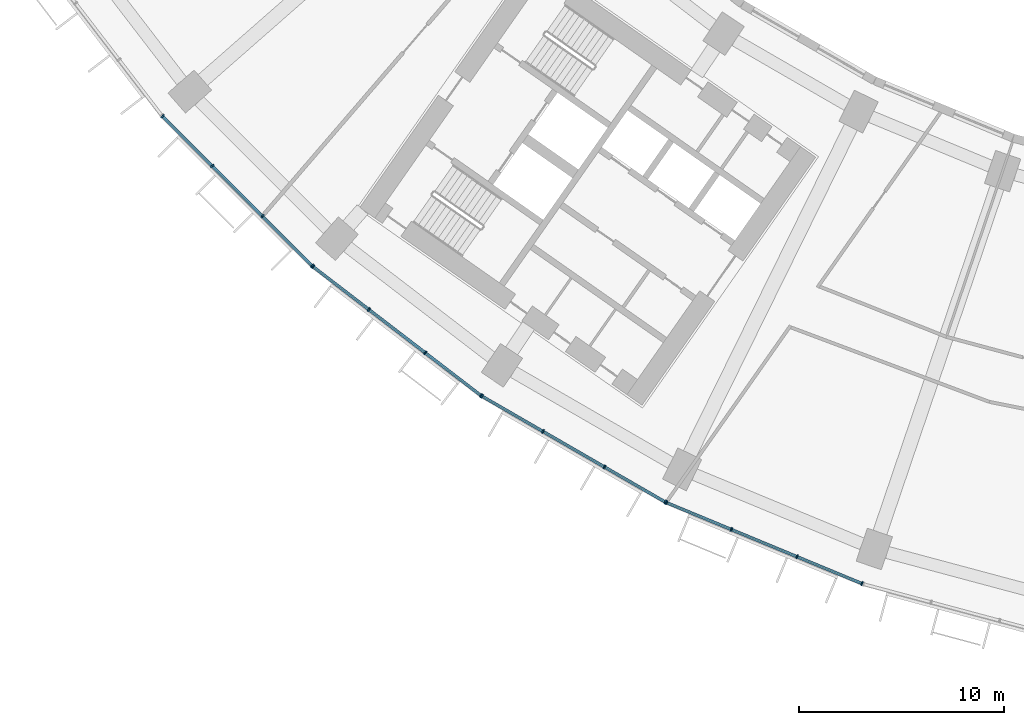
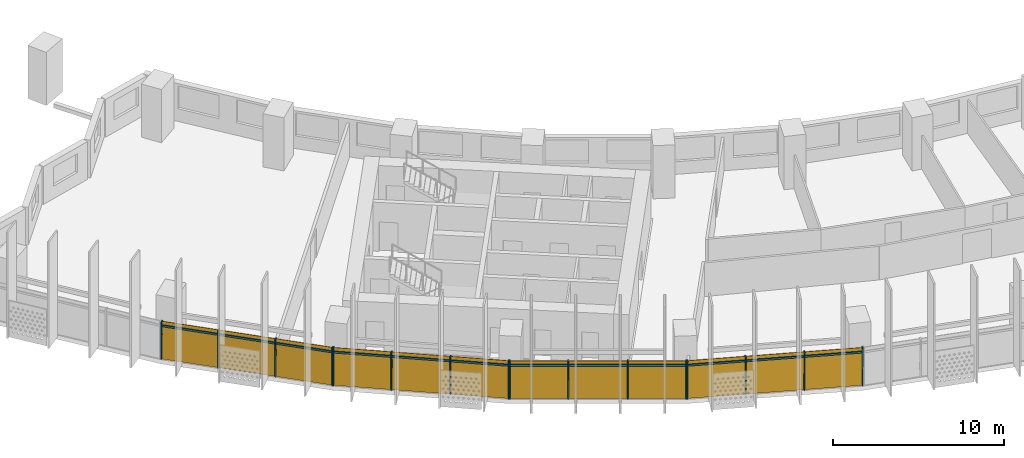
# One storey, part 18 of 31: 28 members, 4 curtain walls.
"""IFC4 building model written with IfcOpenShell, lengths in metres."""

from ifc_helpers import new_model, si_unit, direction, frame, origin, origin_2d, place, context, subcontext, project, spatial, rectangle, extrude, material, material_profile, profile_set, type_object, element, aggregate, save


model = new_model("IFC4")

# Units and contexts
model_context = context("Model", 3, precision=1e-05, world=origin(), true_north=direction((0.0, 1.0)))
body_context = subcontext(model_context, "Body", "Model", "MODEL_VIEW")
ifc_project = project(units=[si_unit("LENGTHUNIT", "METRE"), si_unit("AREAUNIT", "SQUARE_METRE"), si_unit("VOLUMEUNIT", "CUBIC_METRE"), si_unit("PLANEANGLEUNIT", "RADIAN"), si_unit("MASSUNIT", "GRAM", prefix="KILO")], contexts=[model_context])

# Member
ifc_material = material(Name="Aluminium 6063-T6 anodised", Category="aluminium")
ifc_material_profile_1 = material_profile(ifc_material, rectangle(XDim=0.199951171875, YDim=0.070068359375, at=origin_2d()))
ifc_profile_set_1 = profile_set([ifc_material_profile_1], Name="Aluminium 6063-T6 anodised")
member_type_1 = type_object("IfcMemberType", Name="Mullion 70 x 200 aluminium", PredefinedType="MULLION", material=ifc_profile_set_1)
site_placement = place(None, origin())
building_placement = place(site_placement, origin())
storey_placement = place(building_placement, frame((0.0, 0.0, 55.699951171875)))
member_1_placement = place(storey_placement, frame((-59.78857421875, -52.470947265625, 0.0), z_axis=(0.0, 0.0, 1.0), x_axis=(0.707106781187, 0.707106781187, 0.0)))
member_1 = element("IfcMember", 1, at=member_1_placement, type_object=member_type_1, Name="e-cw1-L10-out02/M00", PredefinedType="MULLION", context=body_context, shape_type="SweptSolid", body=[
    extrude(rectangle(XDim=0.199951171875, YDim=0.070068359375, at=origin_2d()), origin(), (0.0, 0.0, 1.0), 2.699951171875),
])

member_2_placement = place(storey_placement, frame((-57.357666015625, -54.90185546875, 0.0), z_axis=(0.0, 0.0, 1.0), x_axis=(0.707106781187, 0.707106781187, 0.0)))
member_2 = element("IfcMember", 2, at=member_2_placement, type_object=member_type_1, Name="e-cw1-L10-out02/M01", PredefinedType="MULLION", context=body_context, shape_type="SweptSolid", body=[
    extrude(rectangle(XDim=0.199951171875, YDim=0.070068359375, at=origin_2d()), origin(), (0.0, 0.0, 1.0), 2.699951171875),
])

member_3_placement = place(storey_placement, frame((-54.90185546875, -57.357666015625, 0.0), z_axis=(0.0, 0.0, 1.0), x_axis=(0.707106781187, 0.707106781187, 0.0)))
member_3 = element("IfcMember", 3, at=member_3_placement, type_object=member_type_1, Name="e-cw1-L10-out02/M02", PredefinedType="MULLION", context=body_context, shape_type="SweptSolid", body=[
    extrude(rectangle(XDim=0.199951171875, YDim=0.070068359375, at=origin_2d()), origin(), (0.0, 0.0, 1.0), 2.699951171875),
])

member_4_placement = place(storey_placement, frame((-52.470947265625, -59.78857421875, 0.0), z_axis=(0.0, 0.0, 1.0), x_axis=(0.707106781187, 0.707106781187, 0.0)))
member_4 = element("IfcMember", 4, at=member_4_placement, type_object=member_type_1, Name="e-cw1-L10-out02/M03", PredefinedType="MULLION", context=body_context, shape_type="SweptSolid", body=[
    extrude(rectangle(XDim=0.199951171875, YDim=0.070068359375, at=origin_2d()), origin(), (0.0, 0.0, 1.0), 2.699951171875),
])

member_5_placement = place(storey_placement, frame((-52.42822265625, -59.825927734375, 0.0), z_axis=(0.0, 0.0, 1.0), x_axis=(0.608761429009, 0.793353340291, 0.0)))
member_5 = element("IfcMember", 5, at=member_5_placement, type_object=member_type_1, Name="e-cw1-L10-out03/M00", PredefinedType="MULLION", context=body_context, shape_type="SweptSolid", body=[
    extrude(rectangle(XDim=0.199951171875, YDim=0.070068359375, at=origin_2d()), origin(), (0.0, 0.0, 1.0), 2.699951171875),
])

member_6_placement = place(storey_placement, frame((-49.70068359375, -61.9189453125, 0.0), z_axis=(0.0, 0.0, 1.0), x_axis=(0.608761429009, 0.793353340291, 0.0)))
member_6 = element("IfcMember", 6, at=member_6_placement, type_object=member_type_1, Name="e-cw1-L10-out03/M01", PredefinedType="MULLION", context=body_context, shape_type="SweptSolid", body=[
    extrude(rectangle(XDim=0.199951171875, YDim=0.070068359375, at=origin_2d()), origin(), (0.0, 0.0, 1.0), 2.699951171875),
])

member_7_placement = place(storey_placement, frame((-46.945556640625, -64.032958984375, 0.0), z_axis=(0.0, 0.0, 1.0), x_axis=(0.608761429009, 0.793353340291, 0.0)))
member_7 = element("IfcMember", 7, at=member_7_placement, type_object=member_type_1, Name="e-cw1-L10-out03/M02", PredefinedType="MULLION", context=body_context, shape_type="SweptSolid", body=[
    extrude(rectangle(XDim=0.199951171875, YDim=0.070068359375, at=origin_2d()), origin(), (0.0, 0.0, 1.0), 2.699951171875),
])

member_8_placement = place(storey_placement, frame((-44.218017578125, -66.1259765625, 0.0), z_axis=(0.0, 0.0, 1.0), x_axis=(0.608761429009, 0.793353340291, 0.0)))
member_8 = element("IfcMember", 8, at=member_8_placement, type_object=member_type_1, Name="e-cw1-L10-out03/M03", PredefinedType="MULLION", context=body_context, shape_type="SweptSolid", body=[
    extrude(rectangle(XDim=0.199951171875, YDim=0.070068359375, at=origin_2d()), origin(), (0.0, 0.0, 1.0), 2.699951171875),
])

member_9_placement = place(storey_placement, frame((-44.1708984375, -66.157470703125, 0.0), z_axis=(0.0, 0.0, 1.0), x_axis=(0.5, 0.866025403784, 0.0)))
member_9 = element("IfcMember", 9, at=member_9_placement, type_object=member_type_1, Name="e-cw1-L10-out04/M00", PredefinedType="MULLION", context=body_context, shape_type="SweptSolid", body=[
    extrude(rectangle(XDim=0.199951171875, YDim=0.070068359375, at=origin_2d()), origin(), (0.0, 0.0, 1.0), 2.699951171875),
])

member_10_placement = place(storey_placement, frame((-41.193603515625, -67.87646484375, 0.0), z_axis=(0.0, 0.0, 1.0), x_axis=(0.5, 0.866025403784, 0.0)))
member_10 = element("IfcMember", 10, at=member_10_placement, type_object=member_type_1, Name="e-cw1-L10-out04/M01", PredefinedType="MULLION", context=body_context, shape_type="SweptSolid", body=[
    extrude(rectangle(XDim=0.199951171875, YDim=0.070068359375, at=origin_2d()), origin(), (0.0, 0.0, 1.0), 2.699951171875),
])

member_11_placement = place(storey_placement, frame((-38.18603515625, -69.61279296875, 0.0), z_axis=(0.0, 0.0, 1.0), x_axis=(0.5, 0.866025403784, 0.0)))
member_11 = element("IfcMember", 11, at=member_11_placement, type_object=member_type_1, Name="e-cw1-L10-out04/M02", PredefinedType="MULLION", context=body_context, shape_type="SweptSolid", body=[
    extrude(rectangle(XDim=0.199951171875, YDim=0.070068359375, at=origin_2d()), origin(), (0.0, 0.0, 1.0), 2.699951171875),
])

member_12_placement = place(storey_placement, frame((-35.20849609375, -71.331787109375, 0.0), z_axis=(0.0, 0.0, 1.0), x_axis=(0.5, 0.866025403784, 0.0)))
member_12 = element("IfcMember", 12, at=member_12_placement, type_object=member_type_1, Name="e-cw1-L10-out04/M03", PredefinedType="MULLION", context=body_context, shape_type="SweptSolid", body=[
    extrude(rectangle(XDim=0.199951171875, YDim=0.070068359375, at=origin_2d()), origin(), (0.0, 0.0, 1.0), 2.699951171875),
])

member_13_placement = place(storey_placement, frame((-35.15771484375, -71.35693359375, 0.0), z_axis=(0.0, 0.0, 1.0), x_axis=(0.382683432365, 0.923879532511, 0.0)))
member_13 = element("IfcMember", 13, at=member_13_placement, type_object=member_type_1, Name="e-cw1-L10-out05/M00", PredefinedType="MULLION", context=body_context, shape_type="SweptSolid", body=[
    extrude(rectangle(XDim=0.199951171875, YDim=0.070068359375, at=origin_2d()), origin(), (0.0, 0.0, 1.0), 2.699951171875),
])

member_14_placement = place(storey_placement, frame((-31.9814453125, -72.672607421875, 0.0), z_axis=(0.0, 0.0, 1.0), x_axis=(0.382683432365, 0.923879532511, 0.0)))
member_14 = element("IfcMember", 14, at=member_14_placement, type_object=member_type_1, Name="e-cw1-L10-out05/M01", PredefinedType="MULLION", context=body_context, shape_type="SweptSolid", body=[
    extrude(rectangle(XDim=0.199951171875, YDim=0.070068359375, at=origin_2d()), origin(), (0.0, 0.0, 1.0), 2.699951171875),
])

member_15_placement = place(storey_placement, frame((-28.77294921875, -74.00146484375, 0.0), z_axis=(0.0, 0.0, 1.0), x_axis=(0.382683432365, 0.923879532511, 0.0)))
member_15 = element("IfcMember", 15, at=member_15_placement, type_object=member_type_1, Name="e-cw1-L10-out05/M02", PredefinedType="MULLION", context=body_context, shape_type="SweptSolid", body=[
    extrude(rectangle(XDim=0.199951171875, YDim=0.070068359375, at=origin_2d()), origin(), (0.0, 0.0, 1.0), 2.699951171875),
])

member_16_placement = place(storey_placement, frame((-25.5966796875, -75.317138671875, 0.0), z_axis=(0.0, 0.0, 1.0), x_axis=(0.382683432365, 0.923879532511, 0.0)))
member_16 = element("IfcMember", 16, at=member_16_placement, type_object=member_type_1, Name="e-cw1-L10-out05/M03", PredefinedType="MULLION", context=body_context, shape_type="SweptSolid", body=[
    extrude(rectangle(XDim=0.199951171875, YDim=0.070068359375, at=origin_2d()), origin(), (0.0, 0.0, 1.0), 2.699951171875),
])

ifc_material_profile_2 = material_profile(ifc_material, rectangle(XDim=0.139892578125, YDim=0.1201171875, at=origin_2d()))
ifc_profile_set_2 = profile_set([ifc_material_profile_2], Name="Aluminium 6063-T6 anodised")
member_type_2 = type_object("IfcMemberType", Name="Transom 120 x 140 aluminium", PredefinedType="USERDEFINED", material=ifc_profile_set_2)
member_17_placement = place(storey_placement, frame((-59.763916015625, -52.49560546875, 2.400146484375), z_axis=(0.707106781187, -0.707106781187, 0.0), x_axis=(0.707106781187, 0.707106781187, 0.0)))
member_17 = element("IfcMember", 17, at=member_17_placement, type_object=member_type_2, Name="e-cw1-L10-out02/T00", ObjectType="TRANSOM", PredefinedType="USERDEFINED", context=body_context, shape_type="SweptSolid", body=[
    extrude(rectangle(XDim=0.139892578125, YDim=0.1201171875, at=origin_2d()), origin(), (0.0, 0.0, 1.0), 3.3681640625),
])

member_18_placement = place(storey_placement, frame((-57.332763671875, -54.9267578125, 2.400146484375), z_axis=(0.707106781187, -0.707106781187, 0.0), x_axis=(0.707106781187, 0.707106781187, 0.0)))
member_18 = element("IfcMember", 18, at=member_18_placement, type_object=member_type_2, Name="e-cw1-L10-out02/T01", ObjectType="TRANSOM", PredefinedType="USERDEFINED", context=body_context, shape_type="SweptSolid", body=[
    extrude(rectangle(XDim=0.139892578125, YDim=0.1201171875, at=origin_2d()), origin(), (0.0, 0.0, 1.0), 3.402587890625),
])

member_19_placement = place(storey_placement, frame((-54.877197265625, -57.38232421875, 2.400146484375), z_axis=(0.707106781187, -0.707106781187, 0.0), x_axis=(0.707106781187, 0.707106781187, 0.0)))
member_19 = element("IfcMember", 19, at=member_19_placement, type_object=member_type_2, Name="e-cw1-L10-out02/T02", ObjectType="TRANSOM", PredefinedType="USERDEFINED", context=body_context, shape_type="SweptSolid", body=[
    extrude(rectangle(XDim=0.139892578125, YDim=0.1201171875, at=origin_2d()), origin(), (0.0, 0.0, 1.0), 3.3681640625),
])

member_20_placement = place(storey_placement, frame((-52.400390625, -59.847412109375, 2.400146484375), z_axis=(0.793375276742, -0.608732839803, 0.0), x_axis=(0.608732839803, 0.793375276742, 0.0)))
member_20 = element("IfcMember", 20, at=member_20_placement, type_object=member_type_2, Name="e-cw1-L10-out03/T00", ObjectType="TRANSOM", PredefinedType="USERDEFINED", context=body_context, shape_type="SweptSolid", body=[
    extrude(rectangle(XDim=0.139892578125, YDim=0.1201171875, at=origin_2d()), origin(), (0.0, 0.0, 1.0), 3.36767578125),
])

member_21_placement = place(storey_placement, frame((-49.673095703125, -61.940185546875, 2.400146484375), z_axis=(0.793356868815, -0.60875683052, 0.0), x_axis=(0.60875683052, 0.793356868815, 0.0)))
member_21 = element("IfcMember", 21, at=member_21_placement, type_object=member_type_2, Name="e-cw1-L10-out03/T01", ObjectType="TRANSOM", PredefinedType="USERDEFINED", context=body_context, shape_type="SweptSolid", body=[
    extrude(rectangle(XDim=0.139892578125, YDim=0.1201171875, at=origin_2d()), origin(), (0.0, 0.0, 1.0), 3.40283203125),
])

member_22_placement = place(storey_placement, frame((-46.917724609375, -64.054443359375, 2.400146484375), z_axis=(0.793375276742, -0.608732839803, 0.0), x_axis=(0.608732839803, 0.793375276742, 0.0)))
member_22 = element("IfcMember", 22, at=member_22_placement, type_object=member_type_2, Name="e-cw1-L10-out03/T02", ObjectType="TRANSOM", PredefinedType="USERDEFINED", context=body_context, shape_type="SweptSolid", body=[
    extrude(rectangle(XDim=0.139892578125, YDim=0.1201171875, at=origin_2d()), origin(), (0.0, 0.0, 1.0), 3.36767578125),
])

member_23_placement = place(storey_placement, frame((-44.140625, -66.175048828125, 2.400146484375), z_axis=(0.866044351828, -0.49996717959, 0.0), x_axis=(0.49996717959, 0.866044351828, 0.0)))
member_23 = element("IfcMember", 23, at=member_23_placement, type_object=member_type_2, Name="e-cw1-L10-out04/T00", ObjectType="TRANSOM", PredefinedType="USERDEFINED", context=body_context, shape_type="SweptSolid", body=[
    extrude(rectangle(XDim=0.139892578125, YDim=0.1201171875, at=origin_2d()), origin(), (0.0, 0.0, 1.0), 3.367919921875),
])

member_24_placement = place(storey_placement, frame((-41.163330078125, -67.893798828125, 2.400146484375), z_axis=(0.866000398227, -0.500043308395, 0.0), x_axis=(0.500043308395, 0.866000398227, 0.0)))
member_24 = element("IfcMember", 24, at=member_24_placement, type_object=member_type_2, Name="e-cw1-L10-out04/T01", ObjectType="TRANSOM", PredefinedType="USERDEFINED", context=body_context, shape_type="SweptSolid", body=[
    extrude(rectangle(XDim=0.139892578125, YDim=0.1201171875, at=origin_2d()), origin(), (0.0, 0.0, 1.0), 3.403076171875),
])

member_25_placement = place(storey_placement, frame((-38.155517578125, -69.63037109375, 2.400146484375), z_axis=(0.866026229868, -0.499998569178, 0.0), x_axis=(0.499998569178, 0.866026229868, 0.0)))
member_25 = element("IfcMember", 25, at=member_25_placement, type_object=member_type_2, Name="e-cw1-L10-out04/T02", ObjectType="TRANSOM", PredefinedType="USERDEFINED", context=body_context, shape_type="SweptSolid", body=[
    extrude(rectangle(XDim=0.139892578125, YDim=0.1201171875, at=origin_2d()), origin(), (0.0, 0.0, 1.0), 3.36767578125),
])

member_26_placement = place(storey_placement, frame((-35.125244140625, -71.370361328125, 2.400146484375), z_axis=(0.923872807855, -0.382699666719, 0.0), x_axis=(0.382699666719, 0.923872807855, 0.0)))
member_26 = element("IfcMember", 26, at=member_26_placement, type_object=member_type_2, Name="e-cw1-L10-out05/T00", ObjectType="TRANSOM", PredefinedType="USERDEFINED", context=body_context, shape_type="SweptSolid", body=[
    extrude(rectangle(XDim=0.139892578125, YDim=0.1201171875, at=origin_2d()), origin(), (0.0, 0.0, 1.0), 3.36767578125),
])

member_27_placement = place(storey_placement, frame((-31.94921875, -72.68603515625, 2.400146484375), z_axis=(0.92388567708, -0.382668597728, 0.0), x_axis=(0.382668597728, 0.92388567708, 0.0)))
member_27 = element("IfcMember", 27, at=member_27_placement, type_object=member_type_2, Name="e-cw1-L10-out05/T01", ObjectType="TRANSOM", PredefinedType="USERDEFINED", context=body_context, shape_type="SweptSolid", body=[
    extrude(rectangle(XDim=0.139892578125, YDim=0.1201171875, at=origin_2d()), origin(), (0.0, 0.0, 1.0), 3.403076171875),
])

member_28_placement = place(storey_placement, frame((-28.740478515625, -74.014892578125, 2.400146484375), z_axis=(0.923872807855, -0.382699666719, 0.0), x_axis=(0.382699666719, 0.923872807855, 0.0)))
member_28 = element("IfcMember", 28, at=member_28_placement, type_object=member_type_2, Name="e-cw1-L10-out05/T02", ObjectType="TRANSOM", PredefinedType="USERDEFINED", context=body_context, shape_type="SweptSolid", body=[
    extrude(rectangle(XDim=0.139892578125, YDim=0.1201171875, at=origin_2d()), origin(), (0.0, 0.0, 1.0), 3.36767578125),
])

# Site, building, storey
site = spatial("IfcSite", under=ifc_project, at=site_placement, CompositionType="ELEMENT")
building = spatial("IfcBuilding", under=site, at=building_placement, Name="Qamariyya Broadcast Tower", CompositionType="ELEMENT")
storey = spatial("IfcBuildingStorey", under=building, at=storey_placement, Name="L10", CompositionType="ELEMENT", Elevation=55.699951171875)

# Curtain wall
curtain_wall_type = type_object("IfcCurtainWallType", Name="Unitised curtain wall, anodised aluminium", PredefinedType="NOTDEFINED", material=ifc_material)
curtain_wall_1_placement = place(storey_placement, origin())
curtain_wall_1 = element("IfcCurtainWall", 29, at=curtain_wall_1_placement, inside=storey, type_object=curtain_wall_type, Name="e-cw1-L10-out02", PredefinedType="NOTDEFINED", context=body_context, shape_type="SweptSolid", body=[
    extrude(rectangle(XDim=3.367919921875, YDim=0.031982421875, at=origin_2d()), frame((-58.572998046875, -53.6865234375, 0.0), x_axis=(0.707106781187, -0.707106781187, 0.0)), (0.0, 0.0, 1.0), 2.340087890625),
    extrude(rectangle(XDim=3.367919921875, YDim=0.031982421875, at=origin_2d()), frame((-58.572998046875, -53.6865234375, 2.4599609375), x_axis=(0.707106781187, -0.707106781187, 0.0)), (0.0, 0.0, 1.0), 0.239990234375),
    extrude(rectangle(XDim=3.40283203125, YDim=0.031982421875, at=origin_2d()), frame((-56.1298828125, -56.1298828125, 0.0), x_axis=(0.707106781187, -0.707106781187, 0.0)), (0.0, 0.0, 1.0), 2.340087890625),
    extrude(rectangle(XDim=3.40283203125, YDim=0.031982421875, at=origin_2d()), frame((-56.1298828125, -56.1298828125, 2.4599609375), x_axis=(0.707106781187, -0.707106781187, 0.0)), (0.0, 0.0, 1.0), 0.239990234375),
    extrude(rectangle(XDim=3.367919921875, YDim=0.031982421875, at=origin_2d()), frame((-53.6865234375, -58.572998046875, 0.0), x_axis=(0.707106781187, -0.707106781187, 0.0)), (0.0, 0.0, 1.0), 2.340087890625),
    extrude(rectangle(XDim=3.367919921875, YDim=0.031982421875, at=origin_2d()), frame((-53.6865234375, -58.572998046875, 2.4599609375), x_axis=(0.707106781187, -0.707106781187, 0.0)), (0.0, 0.0, 1.0), 0.239990234375),
])

aggregate(curtain_wall_1, [member_1, member_2, member_3, member_4, member_17, member_18, member_19])

curtain_wall_2_placement = place(storey_placement, origin())
curtain_wall_2 = element("IfcCurtainWall", 30, at=curtain_wall_2_placement, inside=storey, type_object=curtain_wall_type, Name="e-cw1-L10-out03", PredefinedType="NOTDEFINED", context=body_context, shape_type="SweptSolid", body=[
    extrude(rectangle(XDim=3.367919921875, YDim=0.031982421875, at=origin_2d()), frame((-51.064453125, -60.872314453125, 0.0), x_axis=(0.79335775203, -0.608755679475, 0.0)), (0.0, 0.0, 1.0), 2.340087890625),
    extrude(rectangle(XDim=3.367919921875, YDim=0.031982421875, at=origin_2d()), frame((-51.064453125, -60.872314453125, 2.4599609375), x_axis=(0.79335775203, -0.608755679475, 0.0)), (0.0, 0.0, 1.0), 0.239990234375),
    extrude(rectangle(XDim=3.40283203125, YDim=0.031982421875, at=origin_2d()), frame((-48.3232421875, -62.97607421875, 0.0), x_axis=(0.79335775203, -0.608755679475, 0.0)), (0.0, 0.0, 1.0), 2.340087890625),
    extrude(rectangle(XDim=3.40283203125, YDim=0.031982421875, at=origin_2d()), frame((-48.3232421875, -62.97607421875, 2.4599609375), x_axis=(0.79335775203, -0.608755679475, 0.0)), (0.0, 0.0, 1.0), 0.239990234375),
    extrude(rectangle(XDim=3.367919921875, YDim=0.031982421875, at=origin_2d()), frame((-45.581787109375, -65.07958984375, 0.0), x_axis=(0.79335775203, -0.608755679475, 0.0)), (0.0, 0.0, 1.0), 2.340087890625),
    extrude(rectangle(XDim=3.367919921875, YDim=0.031982421875, at=origin_2d()), frame((-45.581787109375, -65.07958984375, 2.4599609375), x_axis=(0.79335775203, -0.608755679475, 0.0)), (0.0, 0.0, 1.0), 0.239990234375),
])

aggregate(curtain_wall_2, [member_5, member_6, member_7, member_8, member_20, member_21, member_22])

curtain_wall_3_placement = place(storey_placement, origin())
curtain_wall_3 = element("IfcCurtainWall", 31, at=curtain_wall_3_placement, inside=storey, type_object=curtain_wall_type, Name="e-cw1-L10-out04", PredefinedType="NOTDEFINED", context=body_context, shape_type="SweptSolid", body=[
    extrude(rectangle(XDim=3.367919921875, YDim=0.031982421875, at=origin_2d()), frame((-42.68212890625, -67.016845703125, 0.0), x_axis=(0.86602247392, -0.500005074639, 0.0)), (0.0, 0.0, 1.0), 2.340087890625),
    extrude(rectangle(XDim=3.367919921875, YDim=0.031982421875, at=origin_2d()), frame((-42.68212890625, -67.016845703125, 2.4599609375), x_axis=(0.86602247392, -0.500005074639, 0.0)), (0.0, 0.0, 1.0), 0.239990234375),
    extrude(rectangle(XDim=3.40283203125, YDim=0.031982421875, at=origin_2d()), frame((-39.689697265625, -68.74462890625, 0.0), x_axis=(0.86602247392, -0.500005074639, 0.0)), (0.0, 0.0, 1.0), 2.340087890625),
    extrude(rectangle(XDim=3.40283203125, YDim=0.031982421875, at=origin_2d()), frame((-39.689697265625, -68.74462890625, 2.4599609375), x_axis=(0.86602247392, -0.500005074639, 0.0)), (0.0, 0.0, 1.0), 0.239990234375),
    extrude(rectangle(XDim=3.367919921875, YDim=0.031982421875, at=origin_2d()), frame((-36.697265625, -70.472412109375, 0.0), x_axis=(0.86602247392, -0.500005074639, 0.0)), (0.0, 0.0, 1.0), 2.340087890625),
    extrude(rectangle(XDim=3.367919921875, YDim=0.031982421875, at=origin_2d()), frame((-36.697265625, -70.472412109375, 2.4599609375), x_axis=(0.86602247392, -0.500005074639, 0.0)), (0.0, 0.0, 1.0), 0.239990234375),
])

aggregate(curtain_wall_3, [member_9, member_10, member_11, member_12, member_23, member_24, member_25])

curtain_wall_4_placement = place(storey_placement, origin())
curtain_wall_4 = element("IfcCurtainWall", 32, at=curtain_wall_4_placement, inside=storey, type_object=curtain_wall_type, Name="e-cw1-L10-out05", PredefinedType="NOTDEFINED", context=body_context, shape_type="SweptSolid", body=[
    extrude(rectangle(XDim=3.367919921875, YDim=0.031982421875, at=origin_2d()), frame((-33.569580078125, -72.0146484375, 0.0), x_axis=(0.92387774222, -0.382687754482, 0.0)), (0.0, 0.0, 1.0), 2.340087890625),
    extrude(rectangle(XDim=3.367919921875, YDim=0.031982421875, at=origin_2d()), frame((-33.569580078125, -72.0146484375, 2.4599609375), x_axis=(0.92387774222, -0.382687754482, 0.0)), (0.0, 0.0, 1.0), 0.239990234375),
    extrude(rectangle(XDim=3.40283203125, YDim=0.031982421875, at=origin_2d()), frame((-30.377197265625, -73.3369140625, 0.0), x_axis=(0.92387774222, -0.382687754482, 0.0)), (0.0, 0.0, 1.0), 2.340087890625),
    extrude(rectangle(XDim=3.40283203125, YDim=0.031982421875, at=origin_2d()), frame((-30.377197265625, -73.3369140625, 2.4599609375), x_axis=(0.92387774222, -0.382687754482, 0.0)), (0.0, 0.0, 1.0), 0.239990234375),
    extrude(rectangle(XDim=3.367919921875, YDim=0.031982421875, at=origin_2d()), frame((-27.184814453125, -74.659423828125, 0.0), x_axis=(0.92387774222, -0.382687754482, 0.0)), (0.0, 0.0, 1.0), 2.340087890625),
    extrude(rectangle(XDim=3.367919921875, YDim=0.031982421875, at=origin_2d()), frame((-27.184814453125, -74.659423828125, 2.4599609375), x_axis=(0.92387774222, -0.382687754482, 0.0)), (0.0, 0.0, 1.0), 0.239990234375),
])

aggregate(curtain_wall_4, [member_13, member_14, member_15, member_16, member_26, member_27, member_28])

save(model, "model.ifc")
